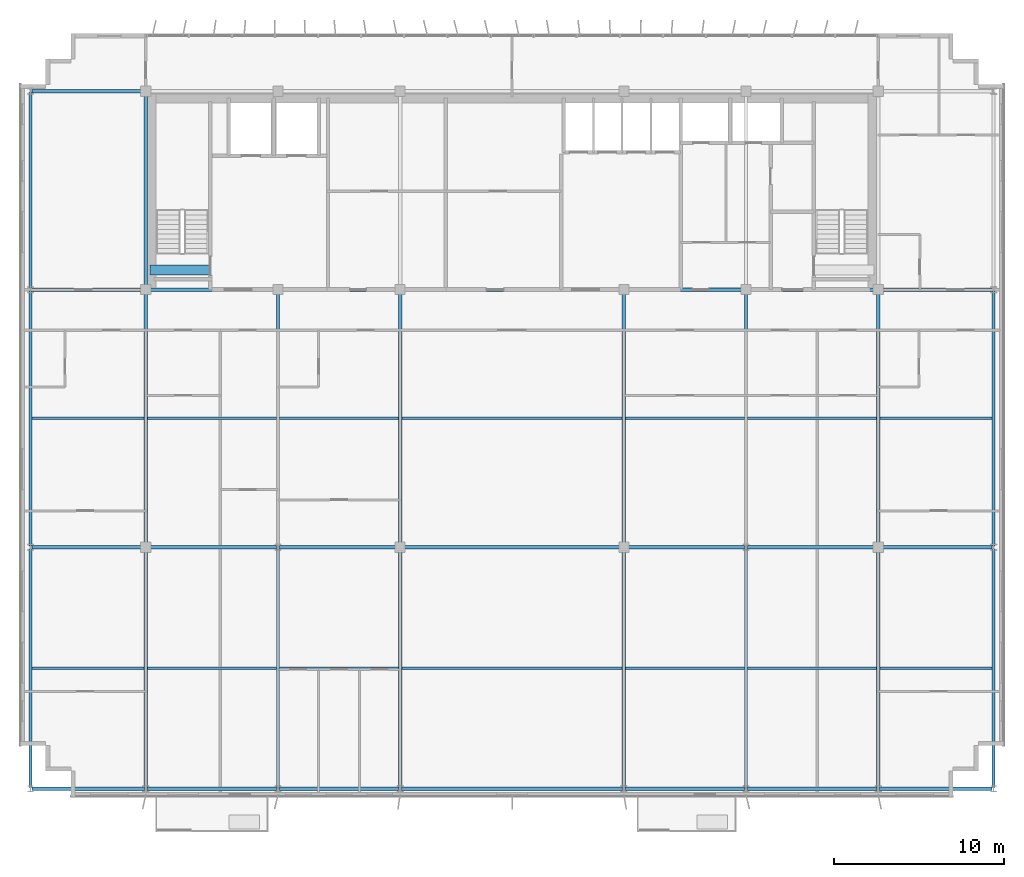
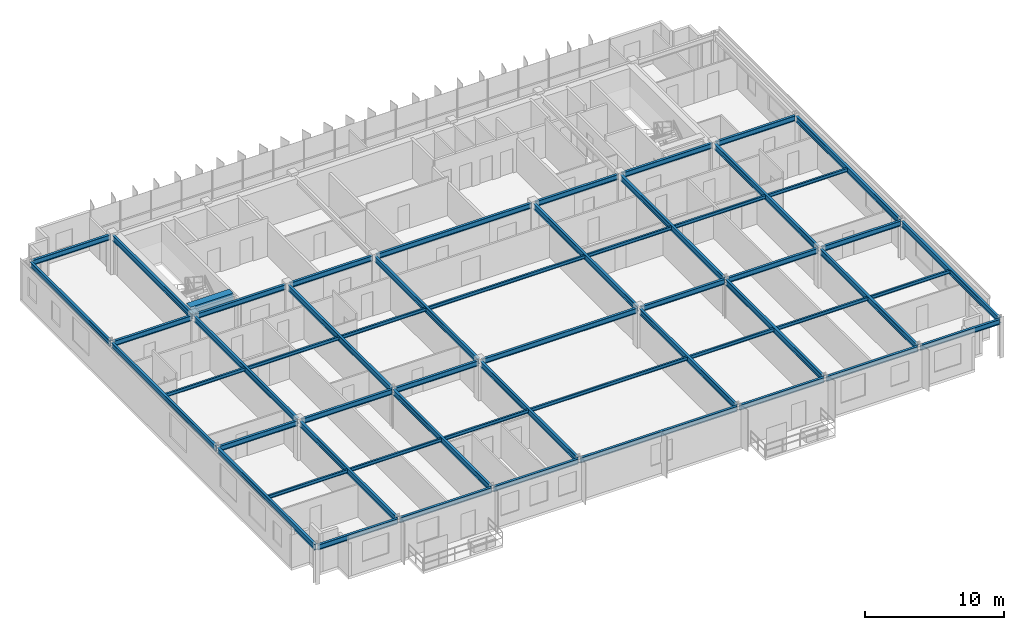
# One storey, part 5 of 22: 55 beams.
"""IFC4 building model written with IfcOpenShell, lengths in metres."""

from ifc_helpers import new_model, si_unit, direction, frame, origin, origin_2d, place, context, subcontext, project, spatial, rectangle, i_section, extrude, source, transform, mapped, material, material_profile, profile_set, type_object, element, save


model = new_model("IFC4")

# Units and contexts
model_context = context("Model", 3, precision=1e-05, world=origin(), true_north=direction((0.0, 1.0)))
body_context = subcontext(model_context, "Body", "Model", "MODEL_VIEW")
ifc_project = project(units=[si_unit("LENGTHUNIT", "METRE"), si_unit("AREAUNIT", "SQUARE_METRE"), si_unit("VOLUMEUNIT", "CUBIC_METRE"), si_unit("PLANEANGLEUNIT", "RADIAN"), si_unit("MASSUNIT", "GRAM", prefix="KILO")], contexts=[model_context])

# Site, building, storey
site_placement = place(None, origin())
site = spatial("IfcSite", under=ifc_project, at=site_placement, CompositionType="ELEMENT")
building_placement = place(site_placement, origin())
building = spatial("IfcBuilding", under=site, at=building_placement, Name="Trelvane Seafront Commons", CompositionType="ELEMENT")
storey_placement = place(building_placement, frame((0.0, 0.0, 273.89990234375)))
storey = spatial("IfcBuildingStorey", under=building, at=storey_placement, Name="L71", CompositionType="ELEMENT", Elevation=273.89990234375)

# Beams
ifc_material_1 = material(Name="Concrete C60/75", Category="concrete")
ifc_material_profile_1 = material_profile(ifc_material_1, rectangle(XDim=0.60009765625, YDim=0.89990234375, at=origin_2d()), Name="RC-600x900")
ifc_profile_set_1 = profile_set([ifc_material_profile_1], Name="Concrete C60/75")
beam_type_1 = type_object("IfcBeamType", Name="STR-LNT-RC600x900", PredefinedType="LINTEL", material=ifc_profile_set_1)
shared_shape_1 = source(origin(), body_context, "Body", "SweptSolid", [
    extrude(rectangle(XDim=0.60009765625, YDim=0.89990234375, at=origin_2d()), origin(), (0.0, 0.0, 1.0), 3.5498046875),
])
beam_1_placement = place(storey_placement, frame((15.85009765625, 34.550048828125, 2.920166015625), z_axis=(1.0, 0.0, 0.0), x_axis=(0.0, 1.0, 0.0)))
element("IfcBeam", 1, at=beam_1_placement, inside=storey, type_object=beam_type_1, Name="L71 Core Coupling Lintel Beam CB-67", PredefinedType="LINTEL", context=body_context, shape_type="MappedRepresentation", body=[
    mapped(shared_shape_1, transform((0.0, 0.0, 0.0), x_axis=(1.0, 0.0, 0.0), y_axis=(0.0, 1.0, 0.0), z_axis=(0.0, 0.0, 1.0), scale=1.0)),
])
ifc_material_2 = material(Name="Steel SM355 (S355)", Category="steel")
ifc_material_profile_2 = material_profile(ifc_material_2, i_section(OverallWidth=0.199951171875, OverallDepth=0.5, WebThickness=0.010009765625, FlangeThickness=0.01611328125, at=origin_2d()), Name="H-500x200x10x16")
ifc_profile_set_2 = profile_set([ifc_material_profile_2], Name="Steel SM355 (S355)")
beam_type_2 = type_object("IfcBeamType", Name="STR-BM-H500", PredefinedType="BEAM", material=ifc_profile_set_2)
shared_shape_2 = source(origin(), body_context, "Body", "SweptSolid", [
    extrude(i_section(OverallWidth=0.199951171875, OverallDepth=0.5, WebThickness=0.010009765625, FlangeThickness=0.01611328125, at=origin_2d()), origin(), (0.0, 0.0, 1.0), 14.89990234375),
])
for number, where, z_axis, x_axis, name in (
    (2, (15.60009765625, 18.35009765625, 3.1201171875), (0.0, 1.0, 0.0), (-1.0, 0.0, 0.0), "L71 Primary Girder G-33"),
    (3, (30.60009765625, 18.35009765625, 3.1201171875), (0.0, 1.0, 0.0), (-1.0, 0.0, 0.0), "L71 Primary Girder G-39"),
    (4, (43.800048828125, 18.35009765625, 3.1201171875), (0.0, 1.0, 0.0), (-1.0, 0.0, 0.0), "L71 Primary Girder G-42"),
    (5, (58.800048828125, 18.35009765625, 3.1201171875), (0.0, 1.0, 0.0), (-1.0, 0.0, 0.0), "L71 Primary Girder G-48"),
):
    element("IfcBeam", number, at=place(storey_placement, frame(where, z_axis=z_axis, x_axis=x_axis)), inside=storey, type_object=beam_type_2, Name=name, PredefinedType="BEAM", context=body_context, shape_type="MappedRepresentation", body=[
        mapped(shared_shape_2, transform((0.0, 0.0, 0.0), x_axis=(1.0, 0.0, 0.0), y_axis=(0.0, 1.0, 0.0), z_axis=(0.0, 0.0, 1.0), scale=1.0)),
    ])
shared_shape_3 = source(origin(), body_context, "Body", "SweptSolid", [
    extrude(i_section(OverallWidth=0.199951171875, OverallDepth=0.5, WebThickness=0.010009765625, FlangeThickness=0.01611328125, at=origin_2d()), origin(), (0.0, 0.0, 1.0), 11.39990234375),
])
beam_2_placement = place(storey_placement, frame((15.60009765625, 33.550048828125, 3.1201171875), z_axis=(0.0, 1.0, 0.0), x_axis=(-1.0, 0.0, 0.0)))
element("IfcBeam", 6, at=beam_2_placement, inside=storey, type_object=beam_type_2, Name="L71 Primary Girder G-34", PredefinedType="BEAM", context=body_context, shape_type="MappedRepresentation", body=[
    mapped(shared_shape_3, transform((0.0, 0.0, 0.0), x_axis=(1.0, 0.0, 0.0), y_axis=(0.0, 1.0, 0.0), z_axis=(0.0, 0.0, 1.0), scale=1.0)),
])
ifc_material_profile_3 = material_profile(ifc_material_2, i_section(OverallWidth=0.199951171875, OverallDepth=0.449951171875, WebThickness=0.009033203125, FlangeThickness=0.013916015625, at=origin_2d()), Name="H-450x200x9x14")
ifc_profile_set_3 = profile_set([ifc_material_profile_3], Name="Steel SM355 (S355)")
beam_type_3 = type_object("IfcBeamType", Name="STR-SPD-H450", PredefinedType="SPANDREL", material=ifc_profile_set_3)
shared_shape_4 = source(origin(), body_context, "Body", "SweptSolid", [
    extrude(i_section(OverallWidth=0.199951171875, OverallDepth=0.449951171875, WebThickness=0.009033203125, FlangeThickness=0.013916015625, at=origin_2d()), origin(), (0.0, 0.0, 1.0), 6.625),
])
for number, where, z_axis, x_axis, name in (
    (7, (8.887451171875, 3.949951171875, 3.14501953125), (1.0, 0.0, 0.0), (0.0, 1.0, 0.0), "L71 Primary Girder G-01"),
    (8, (58.887451171875, 3.949951171875, 3.14501953125), (1.0, 0.0, 0.0), (0.0, 1.0, 0.0), "L71 Primary Girder G-07"),
):
    element("IfcBeam", number, at=place(storey_placement, frame(where, z_axis=z_axis, x_axis=x_axis)), inside=storey, type_object=beam_type_3, Name=name, PredefinedType="SPANDREL", context=body_context, shape_type="MappedRepresentation", body=[
        mapped(shared_shape_4, transform((0.0, 0.0, 0.0), x_axis=(1.0, 0.0, 0.0), y_axis=(0.0, 1.0, 0.0), z_axis=(0.0, 0.0, 1.0), scale=1.0)),
    ])
shared_shape_5 = source(origin(), body_context, "Body", "SweptSolid", [
    extrude(i_section(OverallWidth=0.199951171875, OverallDepth=0.449951171875, WebThickness=0.009033203125, FlangeThickness=0.013916015625, at=origin_2d()), origin(), (0.0, 0.0, 1.0), 7.625),
])
for number, where, z_axis, x_axis, name in (
    (9, (15.6875, 3.949951171875, 3.14501953125), (1.0, 0.0, 0.0), (0.0, 1.0, 0.0), "L71 Primary Girder G-02"),
    (10, (51.08740234375, 3.949951171875, 3.14501953125), (1.0, 0.0, 0.0), (0.0, 1.0, 0.0), "L71 Primary Girder G-06"),
):
    element("IfcBeam", number, at=place(storey_placement, frame(where, z_axis=z_axis, x_axis=x_axis)), inside=storey, type_object=beam_type_3, Name=name, PredefinedType="SPANDREL", context=body_context, shape_type="MappedRepresentation", body=[
        mapped(shared_shape_5, transform((0.0, 0.0, 0.0), x_axis=(1.0, 0.0, 0.0), y_axis=(0.0, 1.0, 0.0), z_axis=(0.0, 0.0, 1.0), scale=1.0)),
    ])
shared_shape_6 = source(origin(), body_context, "Body", "SweptSolid", [
    extrude(i_section(OverallWidth=0.199951171875, OverallDepth=0.449951171875, WebThickness=0.009033203125, FlangeThickness=0.013916015625, at=origin_2d()), origin(), (0.0, 0.0, 1.0), 7.02490234375),
])
beam_3_placement = place(storey_placement, frame((23.487548828125, 3.949951171875, 3.14501953125), z_axis=(1.0, 0.0, 0.0), x_axis=(0.0, 1.0, 0.0)))
element("IfcBeam", 11, at=beam_3_placement, inside=storey, type_object=beam_type_3, Name="L71 Primary Girder G-03", PredefinedType="SPANDREL", context=body_context, shape_type="MappedRepresentation", body=[
    mapped(shared_shape_6, transform((0.0, 0.0, 0.0), x_axis=(1.0, 0.0, 0.0), y_axis=(0.0, 1.0, 0.0), z_axis=(0.0, 0.0, 1.0), scale=1.0)),
])
shared_shape_7 = source(origin(), body_context, "Body", "SweptSolid", [
    extrude(i_section(OverallWidth=0.199951171875, OverallDepth=0.449951171875, WebThickness=0.009033203125, FlangeThickness=0.013916015625, at=origin_2d()), origin(), (0.0, 0.0, 1.0), 7.025146484375),
])
beam_4_placement = place(storey_placement, frame((43.887451171875, 3.949951171875, 3.14501953125), z_axis=(1.0, 0.0, 0.0), x_axis=(0.0, 1.0, 0.0)))
element("IfcBeam", 12, at=beam_4_placement, inside=storey, type_object=beam_type_3, Name="L71 Primary Girder G-05", PredefinedType="SPANDREL", context=body_context, shape_type="MappedRepresentation", body=[
    mapped(shared_shape_7, transform((0.0, 0.0, 0.0), x_axis=(1.0, 0.0, 0.0), y_axis=(0.0, 1.0, 0.0), z_axis=(0.0, 0.0, 1.0), scale=1.0)),
])
shared_shape_8 = source(origin(), body_context, "Body", "SweptSolid", [
    extrude(i_section(OverallWidth=0.199951171875, OverallDepth=0.449951171875, WebThickness=0.009033203125, FlangeThickness=0.013916015625, at=origin_2d()), origin(), (0.0, 0.0, 1.0), 6.5625),
])
for number, where, z_axis, x_axis, name in (
    (13, (8.887451171875, 18.199951171875, 3.14501953125), (1.0, 0.0, 0.0), (0.0, 1.0, 0.0), "L71 Primary Girder G-08"),
    (14, (58.949951171875, 18.199951171875, 3.14501953125), (1.0, 0.0, 0.0), (0.0, 1.0, 0.0), "L71 Primary Girder G-14"),
    (15, (8.887451171875, 33.39990234375, 3.14501953125), (1.0, 0.0, 0.0), (0.0, 1.0, 0.0), "L71 Primary Girder G-15"),
    (16, (58.949951171875, 33.39990234375, 3.14501953125), (1.0, 0.0, 0.0), (0.0, 1.0, 0.0), "L71 Primary Girder G-21"),
    (17, (8.887451171875, 45.10009765625, 3.14501953125), (1.0, 0.0, 0.0), (0.0, 1.0, 0.0), "L71 Primary Girder G-22"),
):
    element("IfcBeam", number, at=place(storey_placement, frame(where, z_axis=z_axis, x_axis=x_axis)), inside=storey, type_object=beam_type_3, Name=name, PredefinedType="SPANDREL", context=body_context, shape_type="MappedRepresentation", body=[
        mapped(shared_shape_8, transform((0.0, 0.0, 0.0), x_axis=(1.0, 0.0, 0.0), y_axis=(0.0, 1.0, 0.0), z_axis=(0.0, 0.0, 1.0), scale=1.0)),
    ])
shared_shape_9 = source(origin(), body_context, "Body", "SweptSolid", [
    extrude(i_section(OverallWidth=0.199951171875, OverallDepth=0.449951171875, WebThickness=0.009033203125, FlangeThickness=0.013916015625, at=origin_2d()), origin(), (0.0, 0.0, 1.0), 7.5625),
])
for number, where, z_axis, x_axis, name in (
    (18, (15.75, 18.199951171875, 3.14501953125), (1.0, 0.0, 0.0), (0.0, 1.0, 0.0), "L71 Primary Girder G-09"),
    (19, (51.08740234375, 18.199951171875, 3.14501953125), (1.0, 0.0, 0.0), (0.0, 1.0, 0.0), "L71 Primary Girder G-13"),
):
    element("IfcBeam", number, at=place(storey_placement, frame(where, z_axis=z_axis, x_axis=x_axis)), inside=storey, type_object=beam_type_3, Name=name, PredefinedType="SPANDREL", context=body_context, shape_type="MappedRepresentation", body=[
        mapped(shared_shape_9, transform((0.0, 0.0, 0.0), x_axis=(1.0, 0.0, 0.0), y_axis=(0.0, 1.0, 0.0), z_axis=(0.0, 0.0, 1.0), scale=1.0)),
    ])
shared_shape_10 = source(origin(), body_context, "Body", "SweptSolid", [
    extrude(i_section(OverallWidth=0.199951171875, OverallDepth=0.449951171875, WebThickness=0.009033203125, FlangeThickness=0.013916015625, at=origin_2d()), origin(), (0.0, 0.0, 1.0), 6.96240234375),
])
beam_5_placement = place(storey_placement, frame((23.487548828125, 18.199951171875, 3.14501953125), z_axis=(1.0, 0.0, 0.0), x_axis=(0.0, 1.0, 0.0)))
element("IfcBeam", 20, at=beam_5_placement, inside=storey, type_object=beam_type_3, Name="L71 Primary Girder G-10", PredefinedType="SPANDREL", context=body_context, shape_type="MappedRepresentation", body=[
    mapped(shared_shape_10, transform((0.0, 0.0, 0.0), x_axis=(1.0, 0.0, 0.0), y_axis=(0.0, 1.0, 0.0), z_axis=(0.0, 0.0, 1.0), scale=1.0)),
])
shared_shape_11 = source(origin(), body_context, "Body", "SweptSolid", [
    extrude(i_section(OverallWidth=0.199951171875, OverallDepth=0.449951171875, WebThickness=0.009033203125, FlangeThickness=0.013916015625, at=origin_2d()), origin(), (0.0, 0.0, 1.0), 6.962646484375),
])
beam_6_placement = place(storey_placement, frame((43.949951171875, 18.199951171875, 3.14501953125), z_axis=(1.0, 0.0, 0.0), x_axis=(0.0, 1.0, 0.0)))
element("IfcBeam", 21, at=beam_6_placement, inside=storey, type_object=beam_type_3, Name="L71 Primary Girder G-12", PredefinedType="SPANDREL", context=body_context, shape_type="MappedRepresentation", body=[
    mapped(shared_shape_11, transform((0.0, 0.0, 0.0), x_axis=(1.0, 0.0, 0.0), y_axis=(0.0, 1.0, 0.0), z_axis=(0.0, 0.0, 1.0), scale=1.0)),
])
shared_shape_12 = source(origin(), body_context, "Body", "SweptSolid", [
    extrude(i_section(OverallWidth=0.199951171875, OverallDepth=0.449951171875, WebThickness=0.009033203125, FlangeThickness=0.013916015625, at=origin_2d()), origin(), (0.0, 0.0, 1.0), 7.5),
])
for number, where, z_axis, x_axis, name in (
    (22, (15.75, 33.39990234375, 3.14501953125), (1.0, 0.0, 0.0), (0.0, 1.0, 0.0), "L71 Primary Girder G-16"),
    (23, (51.14990234375, 33.39990234375, 3.14501953125), (1.0, 0.0, 0.0), (0.0, 1.0, 0.0), "L71 Primary Girder G-20"),
):
    element("IfcBeam", number, at=place(storey_placement, frame(where, z_axis=z_axis, x_axis=x_axis)), inside=storey, type_object=beam_type_3, Name=name, PredefinedType="SPANDREL", context=body_context, shape_type="MappedRepresentation", body=[
        mapped(shared_shape_12, transform((0.0, 0.0, 0.0), x_axis=(1.0, 0.0, 0.0), y_axis=(0.0, 1.0, 0.0), z_axis=(0.0, 0.0, 1.0), scale=1.0)),
    ])
shared_shape_13 = source(origin(), body_context, "Body", "SweptSolid", [
    extrude(i_section(OverallWidth=0.199951171875, OverallDepth=0.449951171875, WebThickness=0.009033203125, FlangeThickness=0.013916015625, at=origin_2d()), origin(), (0.0, 0.0, 1.0), 6.89990234375),
])
beam_7_placement = place(storey_placement, frame((23.550048828125, 33.39990234375, 3.14501953125), z_axis=(1.0, 0.0, 0.0), x_axis=(0.0, 1.0, 0.0)))
element("IfcBeam", 24, at=beam_7_placement, inside=storey, type_object=beam_type_3, Name="L71 Primary Girder G-17", PredefinedType="SPANDREL", context=body_context, shape_type="MappedRepresentation", body=[
    mapped(shared_shape_13, transform((0.0, 0.0, 0.0), x_axis=(1.0, 0.0, 0.0), y_axis=(0.0, 1.0, 0.0), z_axis=(0.0, 0.0, 1.0), scale=1.0)),
])
shared_shape_14 = source(origin(), body_context, "Body", "SweptSolid", [
    extrude(i_section(OverallWidth=0.199951171875, OverallDepth=0.449951171875, WebThickness=0.009033203125, FlangeThickness=0.013916015625, at=origin_2d()), origin(), (0.0, 0.0, 1.0), 12.89990234375),
])
for number, where, z_axis, x_axis, name in (
    (25, (30.75, 18.199951171875, 3.14501953125), (1.0, 0.0, 0.0), (0.0, 1.0, 0.0), "L71 Primary Girder G-11"),
    (26, (30.75, 33.39990234375, 3.14501953125), (1.0, 0.0, 0.0), (0.0, 1.0, 0.0), "L71 Primary Girder G-18"),
):
    element("IfcBeam", number, at=place(storey_placement, frame(where, z_axis=z_axis, x_axis=x_axis)), inside=storey, type_object=beam_type_3, Name=name, PredefinedType="SPANDREL", context=body_context, shape_type="MappedRepresentation", body=[
        mapped(shared_shape_14, transform((0.0, 0.0, 0.0), x_axis=(1.0, 0.0, 0.0), y_axis=(0.0, 1.0, 0.0), z_axis=(0.0, 0.0, 1.0), scale=1.0)),
    ])
shared_shape_15 = source(origin(), body_context, "Body", "SweptSolid", [
    extrude(i_section(OverallWidth=0.199951171875, OverallDepth=0.449951171875, WebThickness=0.009033203125, FlangeThickness=0.013916015625, at=origin_2d()), origin(), (0.0, 0.0, 1.0), 6.900146484375),
])
beam_8_placement = place(storey_placement, frame((43.949951171875, 33.39990234375, 3.14501953125), z_axis=(1.0, 0.0, 0.0), x_axis=(0.0, 1.0, 0.0)))
element("IfcBeam", 27, at=beam_8_placement, inside=storey, type_object=beam_type_3, Name="L71 Primary Girder G-19", PredefinedType="SPANDREL", context=body_context, shape_type="MappedRepresentation", body=[
    mapped(shared_shape_15, transform((0.0, 0.0, 0.0), x_axis=(1.0, 0.0, 0.0), y_axis=(0.0, 1.0, 0.0), z_axis=(0.0, 0.0, 1.0), scale=1.0)),
])
shared_shape_16 = source(origin(), body_context, "Body", "SweptSolid", [
    extrude(i_section(OverallWidth=0.199951171875, OverallDepth=0.5, WebThickness=0.010009765625, FlangeThickness=0.01611328125, at=origin_2d()), origin(), (0.0, 0.0, 1.0), 14.074951171875),
])
for number, where, z_axis, x_axis, name in (
    (28, (8.800048828125, 4.03759765625, 3.1201171875), (0.0, 1.0, 0.0), (-1.0, 0.0, 0.0), "L71 Primary Girder G-29"),
    (29, (23.39990234375, 4.03759765625, 3.1201171875), (0.0, 1.0, 0.0), (-1.0, 0.0, 0.0), "L71 Primary Girder G-35"),
    (30, (51.0, 4.03759765625, 3.1201171875), (0.0, 1.0, 0.0), (-1.0, 0.0, 0.0), "L71 Primary Girder G-44"),
    (31, (65.60009765625, 4.03759765625, 3.1201171875), (0.0, 1.0, 0.0), (-1.0, 0.0, 0.0), "L71 Primary Girder G-50"),
):
    element("IfcBeam", number, at=place(storey_placement, frame(where, z_axis=z_axis, x_axis=x_axis)), inside=storey, type_object=beam_type_2, Name=name, PredefinedType="BEAM", context=body_context, shape_type="MappedRepresentation", body=[
        mapped(shared_shape_16, transform((0.0, 0.0, 0.0), x_axis=(1.0, 0.0, 0.0), y_axis=(0.0, 1.0, 0.0), z_axis=(0.0, 0.0, 1.0), scale=1.0)),
    ])
shared_shape_17 = source(origin(), body_context, "Body", "SweptSolid", [
    extrude(i_section(OverallWidth=0.199951171875, OverallDepth=0.5, WebThickness=0.010009765625, FlangeThickness=0.01611328125, at=origin_2d()), origin(), (0.0, 0.0, 1.0), 15.02490234375),
])
for number, where, z_axis, x_axis, name in (
    (32, (8.800048828125, 18.28759765625, 3.1201171875), (0.0, 1.0, 0.0), (-1.0, 0.0, 0.0), "L71 Primary Girder G-30"),
    (33, (65.60009765625, 18.28759765625, 3.1201171875), (0.0, 1.0, 0.0), (-1.0, 0.0, 0.0), "L71 Primary Girder G-51"),
):
    element("IfcBeam", number, at=place(storey_placement, frame(where, z_axis=z_axis, x_axis=x_axis)), inside=storey, type_object=beam_type_2, Name=name, PredefinedType="BEAM", context=body_context, shape_type="MappedRepresentation", body=[
        mapped(shared_shape_17, transform((0.0, 0.0, 0.0), x_axis=(1.0, 0.0, 0.0), y_axis=(0.0, 1.0, 0.0), z_axis=(0.0, 0.0, 1.0), scale=1.0)),
    ])
shared_shape_18 = source(origin(), body_context, "Body", "SweptSolid", [
    extrude(i_section(OverallWidth=0.199951171875, OverallDepth=0.5, WebThickness=0.010009765625, FlangeThickness=0.01611328125, at=origin_2d()), origin(), (0.0, 0.0, 1.0), 11.52490234375),
])
beam_9_placement = place(storey_placement, frame((8.800048828125, 33.487548828125, 3.1201171875), z_axis=(0.0, 1.0, 0.0), x_axis=(-1.0, 0.0, 0.0)))
element("IfcBeam", 34, at=beam_9_placement, inside=storey, type_object=beam_type_2, Name="L71 Primary Girder G-31", PredefinedType="BEAM", context=body_context, shape_type="MappedRepresentation", body=[
    mapped(shared_shape_18, transform((0.0, 0.0, 0.0), x_axis=(1.0, 0.0, 0.0), y_axis=(0.0, 1.0, 0.0), z_axis=(0.0, 0.0, 1.0), scale=1.0)),
])
shared_shape_19 = source(origin(), body_context, "Body", "SweptSolid", [
    extrude(i_section(OverallWidth=0.199951171875, OverallDepth=0.5, WebThickness=0.010009765625, FlangeThickness=0.01611328125, at=origin_2d()), origin(), (0.0, 0.0, 1.0), 14.012451171875),
])
for number, where, z_axis, x_axis, name in (
    (35, (15.60009765625, 4.03759765625, 3.1201171875), (0.0, 1.0, 0.0), (-1.0, 0.0, 0.0), "L71 Primary Girder G-32"),
    (36, (30.60009765625, 4.03759765625, 3.1201171875), (0.0, 1.0, 0.0), (-1.0, 0.0, 0.0), "L71 Primary Girder G-38"),
    (37, (43.800048828125, 4.03759765625, 3.1201171875), (0.0, 1.0, 0.0), (-1.0, 0.0, 0.0), "L71 Primary Girder G-41"),
    (38, (58.800048828125, 4.03759765625, 3.1201171875), (0.0, 1.0, 0.0), (-1.0, 0.0, 0.0), "L71 Primary Girder G-47"),
):
    element("IfcBeam", number, at=place(storey_placement, frame(where, z_axis=z_axis, x_axis=x_axis)), inside=storey, type_object=beam_type_2, Name=name, PredefinedType="BEAM", context=body_context, shape_type="MappedRepresentation", body=[
        mapped(shared_shape_19, transform((0.0, 0.0, 0.0), x_axis=(1.0, 0.0, 0.0), y_axis=(0.0, 1.0, 0.0), z_axis=(0.0, 0.0, 1.0), scale=1.0)),
    ])
shared_shape_20 = source(origin(), body_context, "Body", "SweptSolid", [
    extrude(i_section(OverallWidth=0.199951171875, OverallDepth=0.5, WebThickness=0.010009765625, FlangeThickness=0.01611328125, at=origin_2d()), origin(), (0.0, 0.0, 1.0), 14.96240234375),
])
for number, where, z_axis, x_axis, name in (
    (39, (23.39990234375, 18.28759765625, 3.1201171875), (0.0, 1.0, 0.0), (-1.0, 0.0, 0.0), "L71 Primary Girder G-36"),
    (40, (51.0, 18.28759765625, 3.1201171875), (0.0, 1.0, 0.0), (-1.0, 0.0, 0.0), "L71 Primary Girder G-45"),
):
    element("IfcBeam", number, at=place(storey_placement, frame(where, z_axis=z_axis, x_axis=x_axis)), inside=storey, type_object=beam_type_2, Name=name, PredefinedType="BEAM", context=body_context, shape_type="MappedRepresentation", body=[
        mapped(shared_shape_20, transform((0.0, 0.0, 0.0), x_axis=(1.0, 0.0, 0.0), y_axis=(0.0, 1.0, 0.0), z_axis=(0.0, 0.0, 1.0), scale=1.0)),
    ])
ifc_material_profile_4 = material_profile(ifc_material_2, i_section(OverallWidth=0.14990234375, OverallDepth=0.300048828125, WebThickness=0.006591796875, FlangeThickness=0.009033203125, at=origin_2d()), Name="H-300x150x6.5x9")
ifc_profile_set_4 = profile_set([ifc_material_profile_4], Name="Steel SM355 (S355)")
beam_type_4 = type_object("IfcBeamType", Name="STR-JST-H300", PredefinedType="JOIST", material=ifc_profile_set_4)
shared_shape_21 = source(origin(), body_context, "Body", "SweptSolid", [
    extrude(i_section(OverallWidth=0.14990234375, OverallDepth=0.300048828125, WebThickness=0.006591796875, FlangeThickness=0.009033203125, at=origin_2d()), origin(), (0.0, 0.0, 1.0), 6.60009765625),
])
for number, where, z_axis, x_axis, name in (
    (41, (8.89990234375, 11.074951171875, 3.22021484375), (1.0, 0.0, 0.0), (0.0, 1.0, 0.0), "L71 Secondary Floor Joist B-53"),
    (42, (58.89990234375, 11.074951171875, 3.22021484375), (1.0, 0.0, 0.0), (0.0, 1.0, 0.0), "L71 Secondary Floor Joist B-59"),
    (43, (8.89990234375, 25.800048828125, 3.22021484375), (1.0, 0.0, 0.0), (0.0, 1.0, 0.0), "L71 Secondary Floor Joist B-60"),
    (44, (58.89990234375, 25.800048828125, 3.22021484375), (1.0, 0.0, 0.0), (0.0, 1.0, 0.0), "L71 Secondary Floor Joist B-66"),
):
    element("IfcBeam", number, at=place(storey_placement, frame(where, z_axis=z_axis, x_axis=x_axis)), inside=storey, type_object=beam_type_4, Name=name, PredefinedType="JOIST", context=body_context, shape_type="MappedRepresentation", body=[
        mapped(shared_shape_21, transform((0.0, 0.0, 0.0), x_axis=(1.0, 0.0, 0.0), y_axis=(0.0, 1.0, 0.0), z_axis=(0.0, 0.0, 1.0), scale=1.0)),
    ])
shared_shape_22 = source(origin(), body_context, "Body", "SweptSolid", [
    extrude(i_section(OverallWidth=0.14990234375, OverallDepth=0.300048828125, WebThickness=0.006591796875, FlangeThickness=0.009033203125, at=origin_2d()), origin(), (0.0, 0.0, 1.0), 7.60009765625),
])
for number, where, z_axis, x_axis, name in (
    (45, (15.699951171875, 11.074951171875, 3.22021484375), (1.0, 0.0, 0.0), (0.0, 1.0, 0.0), "L71 Secondary Floor Joist B-54"),
    (46, (15.699951171875, 25.800048828125, 3.22021484375), (1.0, 0.0, 0.0), (0.0, 1.0, 0.0), "L71 Secondary Floor Joist B-61"),
):
    element("IfcBeam", number, at=place(storey_placement, frame(where, z_axis=z_axis, x_axis=x_axis)), inside=storey, type_object=beam_type_4, Name=name, PredefinedType="JOIST", context=body_context, shape_type="MappedRepresentation", body=[
        mapped(shared_shape_22, transform((0.0, 0.0, 0.0), x_axis=(1.0, 0.0, 0.0), y_axis=(0.0, 1.0, 0.0), z_axis=(0.0, 0.0, 1.0), scale=1.0)),
    ])
shared_shape_23 = source(origin(), body_context, "Body", "SweptSolid", [
    extrude(i_section(OverallWidth=0.14990234375, OverallDepth=0.300048828125, WebThickness=0.006591796875, FlangeThickness=0.009033203125, at=origin_2d()), origin(), (0.0, 0.0, 1.0), 7.0),
])
for number, where, z_axis, x_axis, name in (
    (47, (23.5, 11.074951171875, 3.22021484375), (1.0, 0.0, 0.0), (0.0, 1.0, 0.0), "L71 Secondary Floor Joist B-55"),
    (48, (43.89990234375, 11.074951171875, 3.22021484375), (1.0, 0.0, 0.0), (0.0, 1.0, 0.0), "L71 Secondary Floor Joist B-57"),
    (49, (23.5, 25.800048828125, 3.22021484375), (1.0, 0.0, 0.0), (0.0, 1.0, 0.0), "L71 Secondary Floor Joist B-62"),
    (50, (43.89990234375, 25.800048828125, 3.22021484375), (1.0, 0.0, 0.0), (0.0, 1.0, 0.0), "L71 Secondary Floor Joist B-64"),
):
    element("IfcBeam", number, at=place(storey_placement, frame(where, z_axis=z_axis, x_axis=x_axis)), inside=storey, type_object=beam_type_4, Name=name, PredefinedType="JOIST", context=body_context, shape_type="MappedRepresentation", body=[
        mapped(shared_shape_23, transform((0.0, 0.0, 0.0), x_axis=(1.0, 0.0, 0.0), y_axis=(0.0, 1.0, 0.0), z_axis=(0.0, 0.0, 1.0), scale=1.0)),
    ])
shared_shape_24 = source(origin(), body_context, "Body", "SweptSolid", [
    extrude(i_section(OverallWidth=0.14990234375, OverallDepth=0.300048828125, WebThickness=0.006591796875, FlangeThickness=0.009033203125, at=origin_2d()), origin(), (0.0, 0.0, 1.0), 7.599853515625),
])
for number, where, z_axis, x_axis, name in (
    (51, (51.10009765625, 11.074951171875, 3.22021484375), (1.0, 0.0, 0.0), (0.0, 1.0, 0.0), "L71 Secondary Floor Joist B-58"),
    (52, (51.10009765625, 25.800048828125, 3.22021484375), (1.0, 0.0, 0.0), (0.0, 1.0, 0.0), "L71 Secondary Floor Joist B-65"),
):
    element("IfcBeam", number, at=place(storey_placement, frame(where, z_axis=z_axis, x_axis=x_axis)), inside=storey, type_object=beam_type_4, Name=name, PredefinedType="JOIST", context=body_context, shape_type="MappedRepresentation", body=[
        mapped(shared_shape_24, transform((0.0, 0.0, 0.0), x_axis=(1.0, 0.0, 0.0), y_axis=(0.0, 1.0, 0.0), z_axis=(0.0, 0.0, 1.0), scale=1.0)),
    ])
shared_shape_25 = source(origin(), body_context, "Body", "SweptSolid", [
    extrude(i_section(OverallWidth=0.14990234375, OverallDepth=0.300048828125, WebThickness=0.006591796875, FlangeThickness=0.009033203125, at=origin_2d()), origin(), (0.0, 0.0, 1.0), 13.0),
])
for number, where, z_axis, x_axis, name in (
    (53, (30.699951171875, 11.074951171875, 3.22021484375), (1.0, 0.0, 0.0), (0.0, 1.0, 0.0), "L71 Secondary Floor Joist B-56"),
    (54, (30.699951171875, 25.800048828125, 3.22021484375), (1.0, 0.0, 0.0), (0.0, 1.0, 0.0), "L71 Secondary Floor Joist B-63"),
):
    element("IfcBeam", number, at=place(storey_placement, frame(where, z_axis=z_axis, x_axis=x_axis)), inside=storey, type_object=beam_type_4, Name=name, PredefinedType="JOIST", context=body_context, shape_type="MappedRepresentation", body=[
        mapped(shared_shape_25, transform((0.0, 0.0, 0.0), x_axis=(1.0, 0.0, 0.0), y_axis=(0.0, 1.0, 0.0), z_axis=(0.0, 0.0, 1.0), scale=1.0)),
    ])
shared_shape_26 = source(origin(), body_context, "Body", "SweptSolid", [
    extrude(i_section(OverallWidth=0.199951171875, OverallDepth=0.449951171875, WebThickness=0.009033203125, FlangeThickness=0.013916015625, at=origin_2d()), origin(), (0.0, 0.0, 1.0), 13.02490234375),
])
beam_10_placement = place(storey_placement, frame((30.6875, 3.949951171875, 3.14501953125), z_axis=(1.0, 0.0, 0.0), x_axis=(0.0, 1.0, 0.0)))
element("IfcBeam", 55, at=beam_10_placement, inside=storey, type_object=beam_type_3, Name="L71 Primary Girder G-04", PredefinedType="SPANDREL", context=body_context, shape_type="MappedRepresentation", body=[
    mapped(shared_shape_26, transform((0.0, 0.0, 0.0), x_axis=(1.0, 0.0, 0.0), y_axis=(0.0, 1.0, 0.0), z_axis=(0.0, 0.0, 1.0), scale=1.0)),
])

save(model, "model.ifc")
